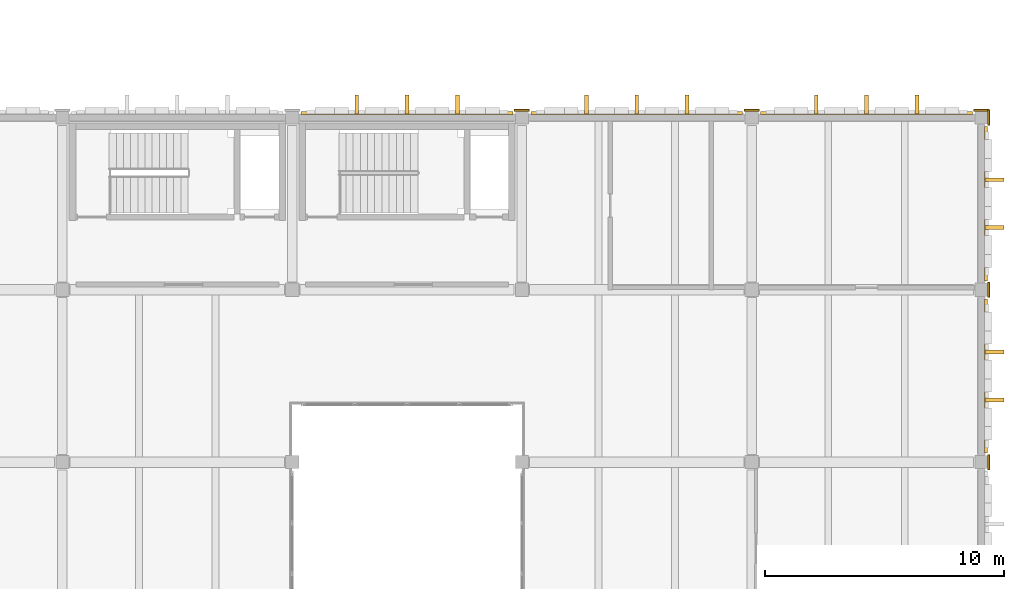
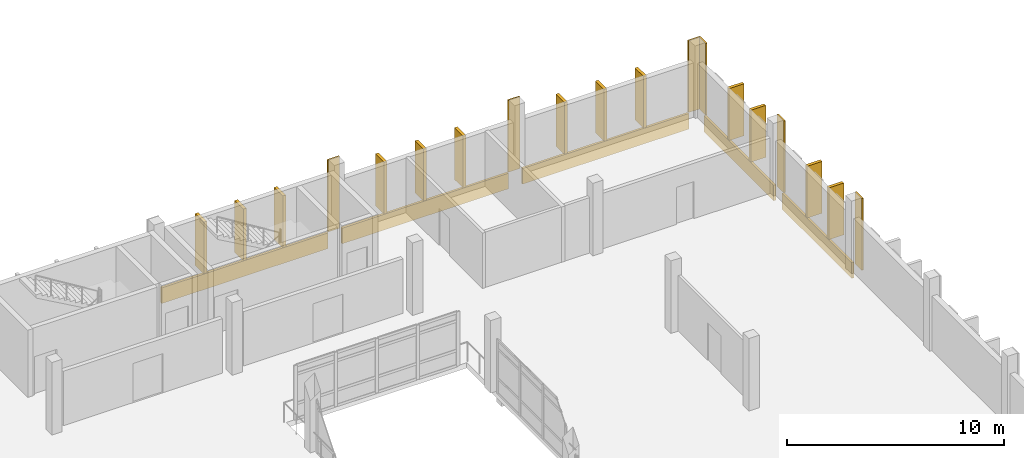
# One storey, part 71 of 72: 24 coverings.
"""IFC4 building model written with IfcOpenShell, lengths in metres."""

import ifcopenshell
import ifcopenshell.guid

model = None  # the IFC model being written
_history = None  # IfcOwnerHistory: only IFC2X3 demands one
_inside = {}  # id of a spatial element -> (the spatial element, [elements in it])
_under = {}  # id of a project, library or spatial element -> (it, [spatial elements below it])
_declared = {}  # id of a project -> (the project, [libraries it declares])
_typed = {}  # id of a type object -> (the type object, [elements of that type])
_made_of = {}  # id of a material, layer set ... -> (it, [elements and type objects made of it])


def new_model(schema):
    """Start an empty IFC model of exactly this schema.

    Asked for "IFC4X3", IfcOpenShell would pick the latest addendum, in which some entities
    have other attributes; the version numbers below select the first issue.
    IFC2X3 requires an IfcOwnerHistory on every rooted entity: one is made here for all.
    """
    global model, _history
    if schema == "IFC4X3":
        model = ifcopenshell.file(schema_version=(4, 3, 0, 0))
    else:
        model = ifcopenshell.file(schema=schema)
    _inside.clear()
    _under.clear()
    _declared.clear()
    _typed.clear()
    _made_of.clear()
    _history = None
    if model.schema == "IFC2X3":
        org = make("IfcOrganization", Name="unknown")
        user = make(
            "IfcPersonAndOrganization",
            ThePerson=make("IfcPerson", FamilyName="unknown"),
            TheOrganization=org,
        )
        app = make(
            "IfcApplication",
            ApplicationDeveloper=org,
            Version="unknown",
            ApplicationFullName="unknown",
            ApplicationIdentifier="unknown",
        )
        _history = make(
            "IfcOwnerHistory",
            OwningUser=user,
            OwningApplication=app,
            ChangeAction="ADDED",
            CreationDate=0,
        )
    return model


def make(cls, **values):
    """One entity of the class cls with the attributes given. An attribute that is None is left unset."""
    return model.create_entity(
        cls, **{name: value for name, value in values.items() if value is not None}
    )


def rooted(cls, **values):
    """An entity with a GlobalId (a new one), such as an element, a storey or a relation."""
    return make(cls, GlobalId=ifcopenshell.guid.new(), OwnerHistory=_history, **values)


def si_unit(unit_type, name, prefix=None):
    """IfcSIUnit, for example si_unit("LENGTHUNIT", "METRE", prefix="MILLI")."""
    return make("IfcSIUnit", UnitType=unit_type, Prefix=prefix, Name=name)


def assignment(units):
    """IfcUnitAssignment: the units of a project."""
    return None if units is None else make("IfcUnitAssignment", Units=units)


def point(xyz):
    """IfcCartesianPoint."""
    return None if xyz is None else make("IfcCartesianPoint", Coordinates=xyz)


def direction(xyz):
    """IfcDirection."""
    return None if xyz is None else make("IfcDirection", DirectionRatios=xyz)


def frame(location, z_axis=None, x_axis=None):
    """IfcAxis2Placement3D, a coordinate frame: its origin and axes. An axis left out is left unset."""
    return make(
        "IfcAxis2Placement3D",
        Location=point(location),
        Axis=direction(z_axis),
        RefDirection=direction(x_axis),
    )


def frame_2d(location, x_axis=None):
    """IfcAxis2Placement2D, a coordinate frame in the plane: its origin and x axis."""
    return make(
        "IfcAxis2Placement2D", Location=point(location), RefDirection=direction(x_axis)
    )


def origin():
    """The frame at (0, 0, 0) with its axes left unset."""
    return frame((0.0, 0.0, 0.0))


def origin_2d():
    """The frame at (0, 0) in the plane with its x axis left unset."""
    return frame_2d((0.0, 0.0))


def place(relative_to, where):
    """IfcLocalPlacement: puts the frame where relative to a parent placement (None: the world)."""
    return make(
        "IfcLocalPlacement", PlacementRelTo=relative_to, RelativePlacement=where
    )


def context(
    kind, dimensions, precision=None, world=None, true_north=None, identifier=None
):
    """IfcGeometricRepresentationContext, for example the 3D "Model" context."""
    return make(
        "IfcGeometricRepresentationContext",
        ContextIdentifier=identifier,
        ContextType=kind,
        CoordinateSpaceDimension=dimensions,
        Precision=precision,
        WorldCoordinateSystem=world,
        TrueNorth=true_north,
    )


def subcontext(parent, identifier, kind, view, scale=None):
    """IfcGeometricRepresentationSubContext, for example "Body" below "Model"."""
    return make(
        "IfcGeometricRepresentationSubContext",
        ContextIdentifier=identifier,
        ContextType=kind,
        ParentContext=parent,
        TargetScale=scale,
        TargetView=view,
    )


def project(units=None, contexts=None):
    """IfcProject with its units and contexts."""
    return rooted(
        "IfcProject",
        Name="project",
        RepresentationContexts=contexts,
        UnitsInContext=assignment(units),
    )


def spatial(cls, under=None, at=None, **own):
    """A site, building, storey or space (cls), placed at a placement, below another one or the project."""
    s = rooted(cls, ObjectPlacement=at, **own)
    if under is not None:
        _under.setdefault(under.id(), (under, []))[1].append(s)
    return s


def profile(cls, at=None, kind="AREA", **sizes):
    """A parametric profile (cls). Its sizes go by their IFC names, for example OverallWidth=200.0."""
    return make(cls, ProfileType=kind, Position=at, **sizes)


def rectangle(**sizes):
    """IfcRectangleProfileDef."""
    return profile("IfcRectangleProfileDef", **sizes)


def extrude(swept, where, along, depth):
    """IfcExtrudedAreaSolid: the profile swept, set in the frame where, extruded along a direction by depth."""
    return make(
        "IfcExtrudedAreaSolid",
        SweptArea=swept,
        Position=where,
        ExtrudedDirection=direction(along),
        Depth=depth,
    )


def shape(context_of_items, identifier, shape_type, items):
    """IfcShapeRepresentation: the items that make up one representation, for example the "Body"."""
    return make(
        "IfcShapeRepresentation",
        ContextOfItems=context_of_items,
        RepresentationIdentifier=identifier,
        RepresentationType=shape_type,
        Items=items,
    )


def material(Name=None, Category=None):
    """IfcMaterial."""
    return make("IfcMaterial", Name=Name, Category=Category)


def layer(
    of_material, thickness, ventilated=None, Name=None, Category=None, Priority=None
):
    """IfcMaterialLayer: one layer of a wall or slab, of a material (None: an air gap)."""
    return make(
        "IfcMaterialLayer",
        Material=of_material,
        LayerThickness=thickness,
        IsVentilated=ventilated,
        Name=Name,
        Category=Category,
        Priority=Priority,
    )


def layer_set(layers, Name=None):
    """IfcMaterialLayerSet."""
    return make("IfcMaterialLayerSet", MaterialLayers=layers, LayerSetName=Name)


def made_of(thing, what):
    """Note that an element or type object is made of a material, layer set ...; save() writes the relation."""
    if what is not None:
        _made_of.setdefault(what.id(), (what, []))[1].append(thing)
    return thing


def type_object(cls, material=None, **own):
    """A type object (cls), such as IfcWallType, which elements share."""
    return made_of(rooted(cls, **own), material)


def element(
    cls,
    number,
    at=None,
    inside=None,
    cuts=None,
    type_object=None,
    material=None,
    context=None,
    identifier="Body",
    shape_type=None,
    held_by="IfcProductDefinitionShape",
    body=None,
    shapes=None,
    **own,
):
    """One element of the class cls, such as IfcWall. Its Tag is "e" and its number.

    at: its placement. inside: the storey or other place that contains it. cuts: it is an
    opening in that element (IfcRelVoidsElement). A single representation is given by context,
    identifier, shape_type and body (its items); several are given by shapes. held_by: the class
    of the entity that holds the representations. save() writes the other relations.
    """
    e = rooted(cls, Tag="e%d" % number, ObjectPlacement=at, **own)
    if body is not None:
        shapes = [shape(context, identifier, shape_type, body)]
    if shapes is not None:
        e.Representation = make(held_by, Representations=shapes)
    if inside is not None:
        _inside.setdefault(inside.id(), (inside, []))[1].append(e)
    if cuts is not None:
        rooted(
            "IfcRelVoidsElement", RelatingBuildingElement=cuts, RelatedOpeningElement=e
        )
    if type_object is not None:
        _typed.setdefault(type_object.id(), (type_object, []))[1].append(e)
    return made_of(e, material)


def aggregate(whole, parts):
    """IfcRelAggregates: a whole, such as a stair, and the parts it consists of."""
    return rooted("IfcRelAggregates", RelatingObject=whole, RelatedObjects=parts)


def save(model, path):
    """Write the relations noted so far, then the file.

    IfcRelAggregates (storeys below a building ...), IfcRelContainedInSpatialStructure (elements
    in a storey), IfcRelDefinesByType, IfcRelAssociatesMaterial and IfcRelDeclares: one each for
    every whole, place, type object, material and project.
    """
    for whole, parts in _under.values():
        aggregate(whole, parts)
    for where, things in _inside.values():
        rooted(
            "IfcRelContainedInSpatialStructure",
            RelatedElements=things,
            RelatingStructure=where,
        )
    for kind, things in _typed.values():
        rooted("IfcRelDefinesByType", RelatedObjects=things, RelatingType=kind)
    for what, things in _made_of.values():
        rooted("IfcRelAssociatesMaterial", RelatedObjects=things, RelatingMaterial=what)
    for by, libraries in _declared.values():
        rooted("IfcRelDeclares", RelatingContext=by, RelatedDefinitions=libraries)
    model.write(path)


model = new_model("IFC4")

# Units and contexts
model_context = context("Model", 3, precision=1e-05, world=origin(), true_north=direction((0.0, 1.0)))
body_context = subcontext(model_context, "Body", "Model", "MODEL_VIEW")
ifc_project = project(units=[si_unit("LENGTHUNIT", "METRE"), si_unit("AREAUNIT", "SQUARE_METRE"), si_unit("VOLUMEUNIT", "CUBIC_METRE"), si_unit("PLANEANGLEUNIT", "RADIAN"), si_unit("MASSUNIT", "GRAM", prefix="KILO")], contexts=[model_context])

# Site, building, storey
site_placement = place(None, origin())
site = spatial("IfcSite", under=ifc_project, at=site_placement, CompositionType="ELEMENT")
building_placement = place(site_placement, origin())
building = spatial("IfcBuilding", under=site, at=building_placement, Name="Asteropetra Specialist Clinic", CompositionType="ELEMENT")
storey_placement = place(building_placement, frame((0.0, 0.0, 12.580078125)))
storey = spatial("IfcBuildingStorey", under=building, at=storey_placement, Name="L03", CompositionType="ELEMENT", Elevation=12.580078125)

# Coverings
ifc_material_1 = material(Name="Chevron sage")
ifc_layer_1 = layer(ifc_material_1, 0.1201171875)
ifc_layer_set_1 = layer_set([ifc_layer_1], Name="Chevron sage")
covering_type_1 = type_object("IfcCoveringType", Name="CLD-AEG-SAGE", PredefinedType="CLADDING", material=ifc_layer_set_1)
for number, where, z_axis, x_axis, name in (
    (1, (129.60009765625, 48.1875, -0.800048828125), (0.0, 0.0, 1.0), (1.0, 0.0, 0.0), "Chevron Spandrel Band CV-2280"),
    (2, (139.199951171875, 48.1875, -0.800048828125), (0.0, 0.0, 1.0), (1.0, 0.0, 0.0), "Chevron Spandrel Band CV-2282"),
    (3, (148.800048828125, 48.1875, -0.800048828125), (0.0, 0.0, 1.0), (1.0, 0.0, 0.0), "Chevron Spandrel Band CV-2284"),
):
    element("IfcCovering", number, at=place(storey_placement, frame(where, z_axis=z_axis, x_axis=x_axis)), inside=storey, type_object=covering_type_1, Name=name, PredefinedType="CLADDING", context=body_context, shape_type="SweptSolid", body=[
        extrude(rectangle(XDim=8.85009765625, YDim=0.1201171875, at=origin_2d()), origin(), (0.0, 0.0, 1.0), 0.8798828125),
    ])
for number, where, z_axis, x_axis, name in (
    (4, (153.78759765625, 37.199951171875, -0.800048828125), (0.0, 0.0, 1.0), (1.0, 0.0, 0.0), "Chevron Spandrel Band CV-2296"),
    (5, (153.78759765625, 44.39990234375, -0.800048828125), (0.0, 0.0, 1.0), (1.0, 0.0, 0.0), "Chevron Spandrel Band CV-2298"),
):
    element("IfcCovering", number, at=place(storey_placement, frame(where, z_axis=z_axis, x_axis=x_axis)), inside=storey, type_object=covering_type_1, Name=name, PredefinedType="CLADDING", context=body_context, shape_type="SweptSolid", body=[
        extrude(rectangle(XDim=0.1201171875, YDim=6.449951171875, at=origin_2d()), origin(), (0.0, 0.0, 1.0), 0.8798828125),
    ])
ifc_material_2 = material(Name="Pentelic marble ashlar", Category="masonry")
ifc_layer_2 = layer(ifc_material_2, 0.159912109375)
ifc_layer_set_2 = layer_set([ifc_layer_2], Name="Pentelic marble ashlar")
covering_type_2 = type_object("IfcCoveringType", Name="CRN-ENTAB-600", PredefinedType="MOLDING", material=ifc_layer_set_2)
for number, where, z_axis, x_axis, name in (
    (6, (134.39990234375, 48.306884765625, 0.02001953125), (0.0, 0.0, 1.0), (1.0, 0.0, 0.0), "Neoclassical Pilaster Facing CM-1152"),
    (7, (144.0, 48.306884765625, 0.02001953125), (0.0, 0.0, 1.0), (1.0, 0.0, 0.0), "Neoclassical Pilaster Facing CM-1154"),
):
    element("IfcCovering", number, at=place(storey_placement, frame(where, z_axis=z_axis, x_axis=x_axis)), inside=storey, type_object=covering_type_2, Name=name, PredefinedType="MOLDING", context=body_context, shape_type="SweptSolid", body=[
        extrude(rectangle(XDim=0.6298828125, YDim=0.080078125, at=origin_2d()), origin(), (0.0, 0.0, 1.0), 4.0400390625),
    ])
for number, where, z_axis, x_axis, name in (
    (8, (153.906982421875, 33.60009765625, 0.02001953125), (0.0, 0.0, 1.0), (1.0, 0.0, 0.0), "Neoclassical Pilaster Facing CM-1161"),
    (9, (153.906982421875, 40.800048828125, 0.02001953125), (0.0, 0.0, 1.0), (1.0, 0.0, 0.0), "Neoclassical Pilaster Facing CM-1162"),
):
    element("IfcCovering", number, at=place(storey_placement, frame(where, z_axis=z_axis, x_axis=x_axis)), inside=storey, type_object=covering_type_2, Name=name, PredefinedType="MOLDING", context=body_context, shape_type="SweptSolid", body=[
        extrude(rectangle(XDim=0.080078125, YDim=0.6298828125, at=origin_2d()), origin(), (0.0, 0.0, 1.0), 4.0400390625),
    ])
covering_1_placement = place(storey_placement, frame((153.60009765625, 48.306884765625, 0.02001953125), z_axis=(0.0, 0.0, 1.0), x_axis=(1.0, 0.0, 0.0)))
element("IfcCovering", 10, at=covering_1_placement, inside=storey, type_object=covering_type_2, Name="Neoclassical Pilaster Facing CM-1163", PredefinedType="MOLDING", context=body_context, shape_type="SweptSolid", body=[
    extrude(rectangle(XDim=0.6298828125, YDim=0.080078125, at=origin_2d()), origin(), (0.0, 0.0, 1.0), 4.0400390625),
])
covering_2_placement = place(storey_placement, frame((153.906982421875, 48.0, 0.02001953125), z_axis=(0.0, 0.0, 1.0), x_axis=(1.0, 0.0, 0.0)))
element("IfcCovering", 11, at=covering_2_placement, inside=storey, type_object=covering_type_2, Name="Neoclassical Pilaster Facing CM-1164", PredefinedType="MOLDING", context=body_context, shape_type="SweptSolid", body=[
    extrude(rectangle(XDim=0.080078125, YDim=0.6298828125, at=origin_2d()), origin(), (0.0, 0.0, 1.0), 4.0400390625),
])
ifc_material_3 = material(Name="Pentelic marble solar fin", Category="masonry")
ifc_layer_3 = layer(ifc_material_3, 0.080078125)
ifc_layer_set_3 = layer_set([ifc_layer_3], Name="Pentelic marble solar fin")
covering_type_3 = type_object("IfcCoveringType", Name="FIN-SOLAR-800", PredefinedType="MOLDING", material=ifc_layer_set_3)
for number, where, z_axis, x_axis, name in (
    (12, (131.702392578125, 48.54248046875, 0.070068359375), (0.0, 0.0, 1.0), (1.0, 0.0, 0.0), "Solar Shading Fin FN-0231"),
    (13, (129.60009765625, 48.54248046875, 0.070068359375), (0.0, 0.0, 1.0), (1.0, 0.0, 0.0), "Solar Shading Fin FN-0232"),
    (14, (127.49755859375, 48.54248046875, 0.070068359375), (0.0, 0.0, 1.0), (1.0, 0.0, 0.0), "Solar Shading Fin FN-0233"),
    (15, (141.302490234375, 48.54248046875, 0.070068359375), (0.0, 0.0, 1.0), (1.0, 0.0, 0.0), "Solar Shading Fin FN-0237"),
    (16, (139.199951171875, 48.54248046875, 0.070068359375), (0.0, 0.0, 1.0), (1.0, 0.0, 0.0), "Solar Shading Fin FN-0238"),
    (17, (137.097412109375, 48.54248046875, 0.070068359375), (0.0, 0.0, 1.0), (1.0, 0.0, 0.0), "Solar Shading Fin FN-0239"),
    (18, (150.902587890625, 48.54248046875, 0.070068359375), (0.0, 0.0, 1.0), (1.0, 0.0, 0.0), "Solar Shading Fin FN-0243"),
    (19, (148.800048828125, 48.54248046875, 0.070068359375), (0.0, 0.0, 1.0), (1.0, 0.0, 0.0), "Solar Shading Fin FN-0244"),
    (20, (146.697509765625, 48.54248046875, 0.070068359375), (0.0, 0.0, 1.0), (1.0, 0.0, 0.0), "Solar Shading Fin FN-0245"),
):
    element("IfcCovering", number, at=place(storey_placement, frame(where, z_axis=z_axis, x_axis=x_axis)), inside=storey, type_object=covering_type_3, Name=name, PredefinedType="MOLDING", context=body_context, shape_type="SweptSolid", body=[
        extrude(rectangle(XDim=0.159912109375, YDim=0.800048828125, at=origin_2d()), origin(), (0.0, 0.0, 1.0), 2.919921875),
    ])
for number, where, z_axis, x_axis, name in (
    (21, (154.142578125, 36.1982421875, 0.070068359375), (0.0, 0.0, 1.0), (1.0, 0.0, 0.0), "Solar Shading Fin FN-0266"),
    (22, (154.142578125, 38.20166015625, 0.070068359375), (0.0, 0.0, 1.0), (1.0, 0.0, 0.0), "Solar Shading Fin FN-0267"),
    (23, (154.142578125, 43.398193359375, 0.070068359375), (0.0, 0.0, 1.0), (1.0, 0.0, 0.0), "Solar Shading Fin FN-0270"),
    (24, (154.142578125, 45.401611328125, 0.070068359375), (0.0, 0.0, 1.0), (1.0, 0.0, 0.0), "Solar Shading Fin FN-0271"),
):
    element("IfcCovering", number, at=place(storey_placement, frame(where, z_axis=z_axis, x_axis=x_axis)), inside=storey, type_object=covering_type_3, Name=name, PredefinedType="MOLDING", context=body_context, shape_type="SweptSolid", body=[
        extrude(rectangle(XDim=0.800048828125, YDim=0.159912109375, at=origin_2d()), origin(), (0.0, 0.0, 1.0), 2.919921875),
    ])

save(model, "model.ifc")
